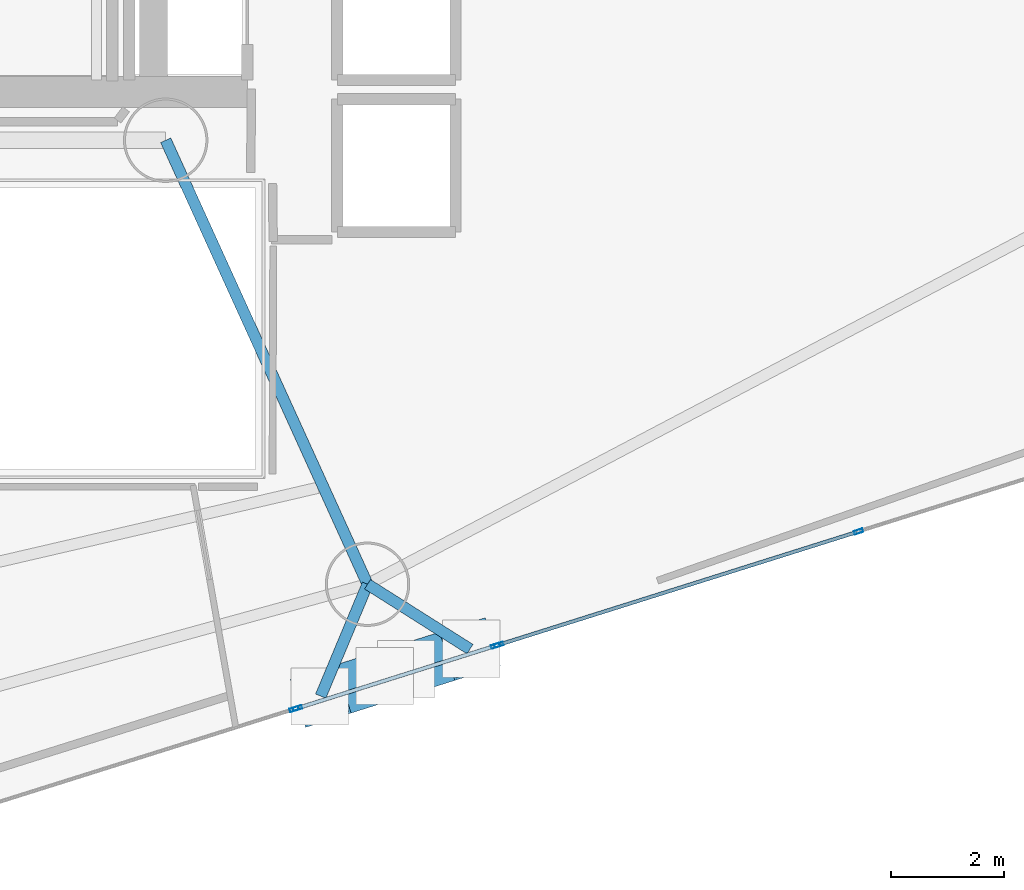
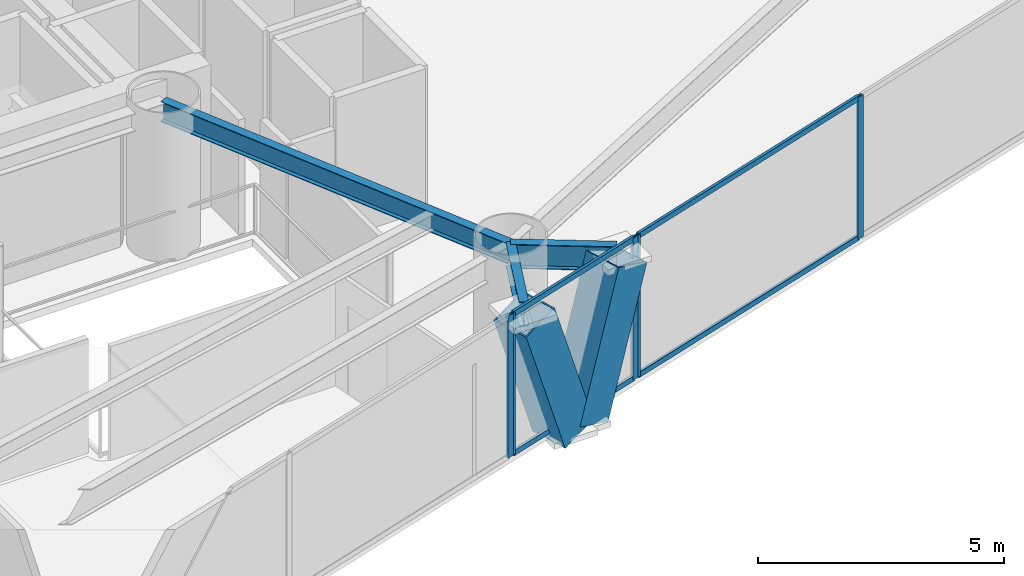
# One storey, part 4 of 18: 11 members, 3 beams, 3 elements without a shape of their own.
"""IFC4 building model written with IfcOpenShell, lengths in metres."""

from ifc_helpers import new_model, si_unit, direction, frame, origin, origin_2d, place, context, subcontext, project, spatial, hollow_rectangle, i_section, extrude, material, layer, layer_set, material_profile, profile_set, type_object, element, aggregate, save


model = new_model("IFC4")

# Units and contexts
model_context = context("Model", 3, precision=1e-05, world=origin(), true_north=direction((0.0, 1.0)))
body_context = subcontext(model_context, "Body", "Model", "MODEL_VIEW")
ifc_project = project(units=[si_unit("LENGTHUNIT", "METRE"), si_unit("AREAUNIT", "SQUARE_METRE"), si_unit("VOLUMEUNIT", "CUBIC_METRE"), si_unit("PLANEANGLEUNIT", "RADIAN"), si_unit("MASSUNIT", "GRAM", prefix="KILO")], contexts=[model_context])

# Site, building, storey
site_placement = place(None, origin())
site = spatial("IfcSite", under=ifc_project, at=site_placement, CompositionType="ELEMENT")
building_placement = place(site_placement, origin())
building = spatial("IfcBuilding", under=site, at=building_placement, Name="Qianvela Tower", CompositionType="ELEMENT")
storey_placement = place(building_placement, frame((0.0, 0.0, 116.300048828125)))
storey = spatial("IfcBuildingStorey", under=building, at=storey_placement, Name="L29", CompositionType="ELEMENT", Elevation=116.300048828125)

# Beams
ifc_material_1 = material(Name="Steel Q355B", Category="steel")
ifc_material_profile_1 = material_profile(ifc_material_1, i_section(OverallWidth=0.199951171875, OverallDepth=0.5, WebThickness=0.010009765625, FlangeThickness=0.01611328125, at=origin_2d()), Name="HN500x200x10x16")
ifc_profile_set_1 = profile_set([ifc_material_profile_1], Name="Steel Q355B")
beam_type_1 = type_object("IfcBeamType", Name="BM-HN500-GIRD", PredefinedType="BEAM", material=ifc_profile_set_1)
beam_1_placement = place(storey_placement, frame((38.39990234375, 23.85009765625, 3.26806640625), z_axis=(0.413839009437, -0.910350083357, 0.0), x_axis=(0.910350083357, 0.413839009437, 0.0)))
element("IfcBeam", 1, at=beam_1_placement, inside=storey, type_object=beam_type_1, Name="L29 Radial Primary Floor Girder 6", PredefinedType="BEAM", context=body_context, shape_type="SweptSolid", body=[
    extrude(i_section(OverallWidth=0.199951171875, OverallDepth=0.5, WebThickness=0.010009765625, FlangeThickness=0.01611328125, at=origin_2d()), origin(), (0.0, 0.0, 1.0), 8.67041015625),
])
ifc_material_2 = material(Name="Steel Q355B", Category="steel")
ifc_material_profile_2 = material_profile(ifc_material_2, i_section(OverallWidth=0.199951171875, OverallDepth=0.60009765625, WebThickness=0.010986328125, FlangeThickness=0.01708984375, at=origin_2d()), Name="HN600x200x11x17")
ifc_profile_set_2 = profile_set([ifc_material_profile_2], Name="Steel Q355B")
beam_type_2 = type_object("IfcBeamType", Name="BM-HN600-GIRD", PredefinedType="BEAM", material=ifc_profile_set_2)
beam_2_placement = place(storey_placement, frame((41.988037109375, 15.95703125, 3.218017578125), z_axis=(-0.386046209619, -0.922479443695, 0.0), x_axis=(0.922479443695, -0.386046209619, 0.0)))
element("IfcBeam", 2, at=beam_2_placement, inside=storey, type_object=beam_type_2, Name="L29 Mega-Brace Column Tie Bracket F3-1", PredefinedType="BEAM", context=body_context, shape_type="SweptSolid", body=[
    extrude(i_section(OverallWidth=0.199951171875, OverallDepth=0.60009765625, WebThickness=0.010986328125, FlangeThickness=0.01708984375, at=origin_2d()), origin(), (0.0, 0.0, 1.0), 2.156005859375),
])
beam_3_placement = place(storey_placement, frame((41.988037109375, 15.95703125, 3.218017578125), z_axis=(0.844802012155, -0.535079022444, 0.0), x_axis=(0.535079022444, 0.844802012155, 0.0)))
element("IfcBeam", 3, at=beam_3_placement, inside=storey, type_object=beam_type_2, Name="L29 Mega-Brace Column Tie Bracket F3-2", PredefinedType="BEAM", context=body_context, shape_type="SweptSolid", body=[
    extrude(i_section(OverallWidth=0.199951171875, OverallDepth=0.60009765625, WebThickness=0.010986328125, FlangeThickness=0.01708984375, at=origin_2d()), origin(), (0.0, 0.0, 1.0), 2.15576171875),
])

# Curtain wall, members
ifc_material_3 = material(Name="Anodised Architectural Aluminium and Insulated Spandrel Panel", Category="aluminium")
ifc_layer_1 = layer(ifc_material_3, 0.179931640625)
ifc_layer_set_1 = layer_set([ifc_layer_1], Name="Anodised Architectural Aluminium and Insulated Spandrel Panel")
curtain_wall_type_1 = type_object("IfcCurtainWallType", Name="CW-BRACEBAY", PredefinedType="USERDEFINED", material=ifc_layer_set_1)
curtain_wall_1_placement = place(storey_placement, origin())
curtain_wall_1 = element("IfcCurtainWall", 4, at=curtain_wall_1_placement, inside=storey, type_object=curtain_wall_type_1, Name="L29 CW-BRACEBAY Curtain Wall 06B", ObjectType="CURTAIN_WALL_SYSTEM", PredefinedType="USERDEFINED")
ifc_material_4 = material(Name="Anodised Architectural Aluminium 6063-T6", Category="aluminium")
ifc_material_profile_3 = material_profile(ifc_material_4, hollow_rectangle(XDim=0.06494140625, YDim=0.159912109375, WallThickness=0.0048828125, at=origin_2d()), Name="ALU-MULL-65x160")
ifc_profile_set_3 = profile_set([ifc_material_profile_3], Name="Anodised Architectural Aluminium 6063-T6")
member_type_1 = type_object("IfcMemberType", Name="CW-BRACEBAY-MULL", PredefinedType="MULLION", material=ifc_profile_set_3)
member_1_placement = place(storey_placement, frame((40.745361328125, 13.755126953125, 0.0), z_axis=(0.0, 0.0, 1.0), x_axis=(-0.300246785169, 0.95386155599, 0.0)))
member_1 = element("IfcMember", 5, at=member_1_placement, type_object=member_type_1, Name="CW-9 mullion 1", PredefinedType="MULLION", context=body_context, shape_type="SweptSolid", body=[
    extrude(hollow_rectangle(XDim=0.06494140625, YDim=0.159912109375, WallThickness=0.0048828125, at=origin_2d()), origin(), (0.0, 0.0, 1.0), 3.52001953125),
])
member_2_placement = place(storey_placement, frame((44.26025390625, 14.861572265625, 0.0), z_axis=(0.0, 0.0, 1.0), x_axis=(-0.300246785169, 0.95386155599, 0.0)))
member_2 = element("IfcMember", 6, at=member_2_placement, type_object=member_type_1, Name="CW-9 mullion 2", PredefinedType="MULLION", context=body_context, shape_type="SweptSolid", body=[
    extrude(hollow_rectangle(XDim=0.06494140625, YDim=0.159912109375, WallThickness=0.0048828125, at=origin_2d()), origin(), (0.0, 0.0, 1.0), 3.52001953125),
])
ifc_material_5 = material(Name="Anodised Architectural Aluminium 6063-T6", Category="aluminium")
ifc_material_profile_4 = material_profile(ifc_material_5, hollow_rectangle(XDim=0.06494140625, YDim=0.1298828125, WallThickness=0.00439453125, at=origin_2d()), Name="ALU-TRAN-65x130")
ifc_profile_set_4 = profile_set([ifc_material_profile_4], Name="Anodised Architectural Aluminium 6063-T6")
member_type_2 = type_object("IfcMemberType", Name="CW-BRACEBAY-TRAN", PredefinedType="USERDEFINED", material=ifc_profile_set_4)
member_3_placement = place(storey_placement, frame((40.7763671875, 13.764892578125, 0.032470703125), z_axis=(0.953857478313, 0.300259739337, 0.0), x_axis=(-0.300259739337, 0.953857478313, 0.0)))
member_3 = element("IfcMember", 7, at=member_3_placement, type_object=member_type_2, Name="CW-9 transom 1.1", ObjectType="TRANSOM", PredefinedType="USERDEFINED", context=body_context, shape_type="SweptSolid", body=[
    extrude(hollow_rectangle(XDim=0.06494140625, YDim=0.1298828125, WallThickness=0.00439453125, at=origin_2d()), origin(), (0.0, 0.0, 1.0), 3.619873046875),
])
member_4_placement = place(storey_placement, frame((40.7763671875, 13.764892578125, 3.487548828125), z_axis=(0.953857478313, 0.300259739337, 0.0), x_axis=(-0.300259739337, 0.953857478313, 0.0)))
member_4 = element("IfcMember", 8, at=member_4_placement, type_object=member_type_2, Name="CW-9 transom 1.2", ObjectType="TRANSOM", PredefinedType="USERDEFINED", context=body_context, shape_type="SweptSolid", body=[
    extrude(hollow_rectangle(XDim=0.06494140625, YDim=0.1298828125, WallThickness=0.00439453125, at=origin_2d()), origin(), (0.0, 0.0, 1.0), 3.619873046875),
])
aggregate(curtain_wall_1, [member_1, member_2, member_3, member_4])

# Curtain wall, member
ifc_material_6 = material(Name="Anodised Architectural Aluminium and Low-E Glass", Category="aluminium")
ifc_layer_2 = layer(ifc_material_6, 0.169921875)
ifc_layer_set_2 = layer_set([ifc_layer_2], Name="Anodised Architectural Aluminium and Low-E Glass")
curtain_wall_type_2 = type_object("IfcCurtainWallType", Name="CW-COLIV-Z34", PredefinedType="USERDEFINED", material=ifc_layer_set_2)
curtain_wall_2_placement = place(storey_placement, origin())
curtain_wall_2 = element("IfcCurtainWall", 9, at=curtain_wall_2_placement, inside=storey, type_object=curtain_wall_type_2, Name="L29 CW-COLIV-Z34 Curtain Wall 06A", ObjectType="CURTAIN_WALL_SYSTEM", PredefinedType="USERDEFINED")
ifc_material_7 = material(Name="Anodised Architectural Aluminium 6063-T6", Category="aluminium")
ifc_material_profile_5 = material_profile(ifc_material_7, hollow_rectangle(XDim=0.06494140625, YDim=0.159912109375, WallThickness=0.0048828125, at=origin_2d()), Name="ALU-MULL-65x160")
ifc_profile_set_5 = profile_set([ifc_material_profile_5], Name="Anodised Architectural Aluminium 6063-T6")
member_type_3 = type_object("IfcMemberType", Name="CW-COLIV-Z34-MULL", PredefinedType="MULLION", material=ifc_profile_set_5)
member_5_placement = place(storey_placement, frame((40.683349609375, 13.735595703125, 0.0), z_axis=(0.0, 0.0, 1.0), x_axis=(-0.300261049546, 0.953857065878, 0.0)))
member_5 = element("IfcMember", 10, at=member_5_placement, type_object=member_type_3, Name="CW-4 mullion 3", PredefinedType="MULLION", context=body_context, shape_type="SweptSolid", body=[
    extrude(hollow_rectangle(XDim=0.06494140625, YDim=0.159912109375, WallThickness=0.0048828125, at=origin_2d()), origin(), (0.0, 0.0, 1.0), 3.52001953125),
])
aggregate(curtain_wall_2, [member_5])

# Curtain wall, members
curtain_wall_3_placement = place(storey_placement, origin())
curtain_wall_3 = element("IfcCurtainWall", 11, at=curtain_wall_3_placement, inside=storey, type_object=curtain_wall_type_2, Name="L29 CW-COLIV-Z34 Curtain Wall 06C", ObjectType="CURTAIN_WALL_SYSTEM", PredefinedType="USERDEFINED")
member_6_placement = place(storey_placement, frame((44.322265625, 14.881103515625, 0.0), z_axis=(0.0, 0.0, 1.0), x_axis=(-0.300261366024, 0.953856966255, 0.0)))
member_6 = element("IfcMember", 12, at=member_6_placement, type_object=member_type_3, Name="CW-4 mullion 1", PredefinedType="MULLION", context=body_context, shape_type="SweptSolid", body=[
    extrude(hollow_rectangle(XDim=0.06494140625, YDim=0.159912109375, WallThickness=0.0048828125, at=origin_2d()), origin(), (0.0, 0.0, 1.0), 3.52001953125),
])
member_7_placement = place(storey_placement, frame((50.71728515625, 16.89404296875, 0.0), z_axis=(0.0, 0.0, 1.0), x_axis=(-0.300261366024, 0.953856966255, 0.0)))
member_7 = element("IfcMember", 13, at=member_7_placement, type_object=member_type_3, Name="CW-4 mullion 2", PredefinedType="MULLION", context=body_context, shape_type="SweptSolid", body=[
    extrude(hollow_rectangle(XDim=0.06494140625, YDim=0.159912109375, WallThickness=0.0048828125, at=origin_2d()), origin(), (0.0, 0.0, 1.0), 3.52001953125),
])
ifc_material_8 = material(Name="Anodised Architectural Aluminium 6063-T6", Category="aluminium")
ifc_material_profile_6 = material_profile(ifc_material_8, hollow_rectangle(XDim=0.06494140625, YDim=0.1298828125, WallThickness=0.00439453125, at=origin_2d()), Name="ALU-TRAN-65x130")
ifc_profile_set_6 = profile_set([ifc_material_profile_6], Name="Anodised Architectural Aluminium 6063-T6")
member_type_4 = type_object("IfcMemberType", Name="CW-COLIV-Z34-TRAN", PredefinedType="USERDEFINED", material=ifc_profile_set_6)
member_8_placement = place(storey_placement, frame((44.353271484375, 14.890869140625, 0.032470703125), z_axis=(0.953862902968, 0.300242505888, 0.0), x_axis=(-0.300242505888, 0.953862902968, 0.0)))
member_8 = element("IfcMember", 14, at=member_8_placement, type_object=member_type_4, Name="CW-4 transom 1.1", ObjectType="TRANSOM", PredefinedType="USERDEFINED", context=body_context, shape_type="SweptSolid", body=[
    extrude(hollow_rectangle(XDim=0.06494140625, YDim=0.1298828125, WallThickness=0.00439453125, at=origin_2d()), origin(), (0.0, 0.0, 1.0), 6.639404296875),
])
member_9_placement = place(storey_placement, frame((44.353271484375, 14.890869140625, 3.487548828125), z_axis=(0.953862902968, 0.300242505888, 0.0), x_axis=(-0.300242505888, 0.953862902968, 0.0)))
member_9 = element("IfcMember", 15, at=member_9_placement, type_object=member_type_4, Name="CW-4 transom 1.2", ObjectType="TRANSOM", PredefinedType="USERDEFINED", context=body_context, shape_type="SweptSolid", body=[
    extrude(hollow_rectangle(XDim=0.06494140625, YDim=0.1298828125, WallThickness=0.00439453125, at=origin_2d()), origin(), (0.0, 0.0, 1.0), 6.639404296875),
])
aggregate(curtain_wall_3, [member_6, member_7, member_8, member_9])

# Members
ifc_material_9 = material(Name="Steel Q420GJC", Category="steel")
ifc_material_profile_7 = material_profile(ifc_material_9, hollow_rectangle(XDim=0.89990234375, YDim=0.89990234375, WallThickness=0.035888671875, at=origin_2d()), Name="MBOX-900x900x36")
ifc_profile_set_7 = profile_set([ifc_material_profile_7], Name="Steel Q420GJC")
member_type_5 = type_object("IfcMemberType", Name="MBR-MBRACE-900", PredefinedType="BRACE", material=ifc_profile_set_7)
for number, where, z_axis, x_axis, name in (
    (16, (42.272705078125, 14.31982421875, -0.14013671875), (-0.314061036439, -0.098851998355, 0.94424252595), (0.300233181743, -0.953865837831, 0.0), "L29 Tier 5 Exterior Mega-Brace F3A"),
    (17, (42.6923828125, 14.451904296875, -0.14013671875), (0.314061036439, 0.098851998355, 0.94424252595), (-0.300233181743, 0.953865837831, 0.0), "L29 Tier 5 Exterior Mega-Brace F3B"),
):
    element("IfcMember", number, at=place(storey_placement, frame(where, z_axis=z_axis, x_axis=x_axis)), inside=storey, type_object=member_type_5, Name=name, PredefinedType="BRACE", context=body_context, shape_type="SweptSolid", body=[
        extrude(hollow_rectangle(XDim=0.89990234375, YDim=0.89990234375, WallThickness=0.035888671875, at=origin_2d()), origin(), (0.0, 0.0, 1.0), 3.556396484375),
    ])

save(model, "model.ifc")
